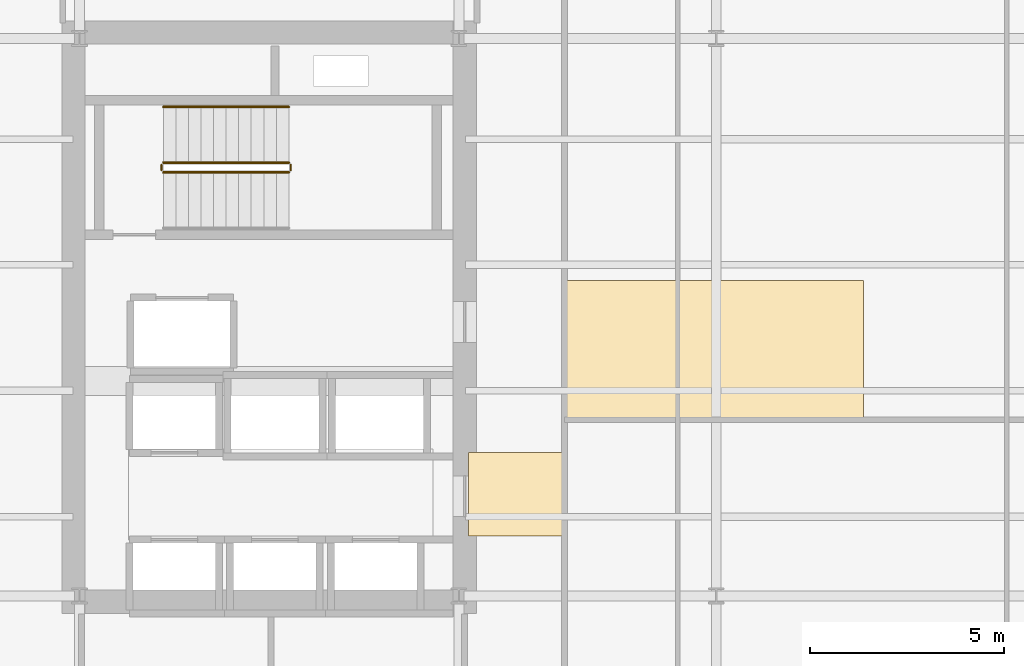
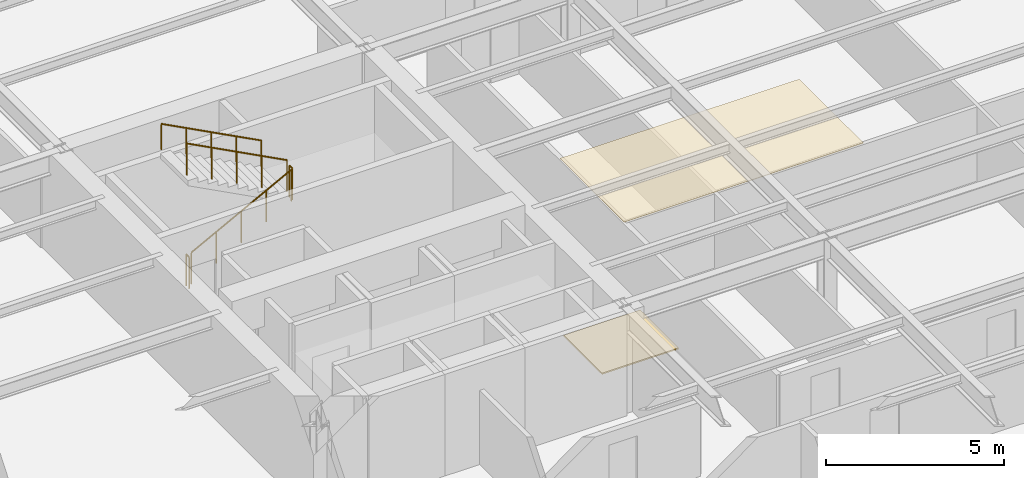
# One storey, part 9 of 11: 5 railings, 2 coverings.
"""IFC4 building model written with IfcOpenShell, lengths in metres."""

import ifcopenshell
import ifcopenshell.guid

model = None  # the IFC model being written
_history = None  # IfcOwnerHistory: only IFC2X3 demands one
_inside = {}  # id of a spatial element -> (the spatial element, [elements in it])
_under = {}  # id of a project, library or spatial element -> (it, [spatial elements below it])
_declared = {}  # id of a project -> (the project, [libraries it declares])
_typed = {}  # id of a type object -> (the type object, [elements of that type])
_made_of = {}  # id of a material, layer set ... -> (it, [elements and type objects made of it])


def new_model(schema):
    """Start an empty IFC model of exactly this schema.

    Asked for "IFC4X3", IfcOpenShell would pick the latest addendum, in which some entities
    have other attributes; the version numbers below select the first issue.
    IFC2X3 requires an IfcOwnerHistory on every rooted entity: one is made here for all.
    """
    global model, _history
    if schema == "IFC4X3":
        model = ifcopenshell.file(schema_version=(4, 3, 0, 0))
    else:
        model = ifcopenshell.file(schema=schema)
    _inside.clear()
    _under.clear()
    _declared.clear()
    _typed.clear()
    _made_of.clear()
    _history = None
    if model.schema == "IFC2X3":
        org = make("IfcOrganization", Name="unknown")
        user = make(
            "IfcPersonAndOrganization",
            ThePerson=make("IfcPerson", FamilyName="unknown"),
            TheOrganization=org,
        )
        app = make(
            "IfcApplication",
            ApplicationDeveloper=org,
            Version="unknown",
            ApplicationFullName="unknown",
            ApplicationIdentifier="unknown",
        )
        _history = make(
            "IfcOwnerHistory",
            OwningUser=user,
            OwningApplication=app,
            ChangeAction="ADDED",
            CreationDate=0,
        )
    return model


def make(cls, **values):
    """One entity of the class cls with the attributes given. An attribute that is None is left unset."""
    return model.create_entity(
        cls, **{name: value for name, value in values.items() if value is not None}
    )


def rooted(cls, **values):
    """An entity with a GlobalId (a new one), such as an element, a storey or a relation."""
    return make(cls, GlobalId=ifcopenshell.guid.new(), OwnerHistory=_history, **values)


def si_unit(unit_type, name, prefix=None):
    """IfcSIUnit, for example si_unit("LENGTHUNIT", "METRE", prefix="MILLI")."""
    return make("IfcSIUnit", UnitType=unit_type, Prefix=prefix, Name=name)


def assignment(units):
    """IfcUnitAssignment: the units of a project."""
    return None if units is None else make("IfcUnitAssignment", Units=units)


def point(xyz):
    """IfcCartesianPoint."""
    return None if xyz is None else make("IfcCartesianPoint", Coordinates=xyz)


def direction(xyz):
    """IfcDirection."""
    return None if xyz is None else make("IfcDirection", DirectionRatios=xyz)


def frame(location, z_axis=None, x_axis=None):
    """IfcAxis2Placement3D, a coordinate frame: its origin and axes. An axis left out is left unset."""
    return make(
        "IfcAxis2Placement3D",
        Location=point(location),
        Axis=direction(z_axis),
        RefDirection=direction(x_axis),
    )


def frame_2d(location, x_axis=None):
    """IfcAxis2Placement2D, a coordinate frame in the plane: its origin and x axis."""
    return make(
        "IfcAxis2Placement2D", Location=point(location), RefDirection=direction(x_axis)
    )


def origin():
    """The frame at (0, 0, 0) with its axes left unset."""
    return frame((0.0, 0.0, 0.0))


def origin_2d():
    """The frame at (0, 0) in the plane with its x axis left unset."""
    return frame_2d((0.0, 0.0))


def place(relative_to, where):
    """IfcLocalPlacement: puts the frame where relative to a parent placement (None: the world)."""
    return make(
        "IfcLocalPlacement", PlacementRelTo=relative_to, RelativePlacement=where
    )


def context(
    kind, dimensions, precision=None, world=None, true_north=None, identifier=None
):
    """IfcGeometricRepresentationContext, for example the 3D "Model" context."""
    return make(
        "IfcGeometricRepresentationContext",
        ContextIdentifier=identifier,
        ContextType=kind,
        CoordinateSpaceDimension=dimensions,
        Precision=precision,
        WorldCoordinateSystem=world,
        TrueNorth=true_north,
    )


def subcontext(parent, identifier, kind, view, scale=None):
    """IfcGeometricRepresentationSubContext, for example "Body" below "Model"."""
    return make(
        "IfcGeometricRepresentationSubContext",
        ContextIdentifier=identifier,
        ContextType=kind,
        ParentContext=parent,
        TargetScale=scale,
        TargetView=view,
    )


def project(units=None, contexts=None):
    """IfcProject with its units and contexts."""
    return rooted(
        "IfcProject",
        Name="project",
        RepresentationContexts=contexts,
        UnitsInContext=assignment(units),
    )


def spatial(cls, under=None, at=None, **own):
    """A site, building, storey or space (cls), placed at a placement, below another one or the project."""
    s = rooted(cls, ObjectPlacement=at, **own)
    if under is not None:
        _under.setdefault(under.id(), (under, []))[1].append(s)
    return s


def polyline(points):
    """IfcPolyline through the points."""
    return make("IfcPolyline", Points=[point(p) for p in points])


def profile(cls, at=None, kind="AREA", **sizes):
    """A parametric profile (cls). Its sizes go by their IFC names, for example OverallWidth=200.0."""
    return make(cls, ProfileType=kind, Position=at, **sizes)


def circle(**sizes):
    """IfcCircleProfileDef."""
    return profile("IfcCircleProfileDef", **sizes)


def outline(outer, holes=None, kind="AREA"):
    """IfcArbitraryClosedProfileDef: a profile drawn as a closed curve; with holes, ...WithVoids."""
    if holes is None:
        return make("IfcArbitraryClosedProfileDef", ProfileType=kind, OuterCurve=outer)
    return make(
        "IfcArbitraryProfileDefWithVoids",
        ProfileType=kind,
        OuterCurve=outer,
        InnerCurves=holes,
    )


def extrude(swept, where, along, depth):
    """IfcExtrudedAreaSolid: the profile swept, set in the frame where, extruded along a direction by depth."""
    return make(
        "IfcExtrudedAreaSolid",
        SweptArea=swept,
        Position=where,
        ExtrudedDirection=direction(along),
        Depth=depth,
    )


def shape(context_of_items, identifier, shape_type, items):
    """IfcShapeRepresentation: the items that make up one representation, for example the "Body"."""
    return make(
        "IfcShapeRepresentation",
        ContextOfItems=context_of_items,
        RepresentationIdentifier=identifier,
        RepresentationType=shape_type,
        Items=items,
    )


def material(Name=None, Category=None):
    """IfcMaterial."""
    return make("IfcMaterial", Name=Name, Category=Category)


def layer(
    of_material, thickness, ventilated=None, Name=None, Category=None, Priority=None
):
    """IfcMaterialLayer: one layer of a wall or slab, of a material (None: an air gap)."""
    return make(
        "IfcMaterialLayer",
        Material=of_material,
        LayerThickness=thickness,
        IsVentilated=ventilated,
        Name=Name,
        Category=Category,
        Priority=Priority,
    )


def layer_set(layers, Name=None):
    """IfcMaterialLayerSet."""
    return make("IfcMaterialLayerSet", MaterialLayers=layers, LayerSetName=Name)


def made_of(thing, what):
    """Note that an element or type object is made of a material, layer set ...; save() writes the relation."""
    if what is not None:
        _made_of.setdefault(what.id(), (what, []))[1].append(thing)
    return thing


def type_object(cls, material=None, **own):
    """A type object (cls), such as IfcWallType, which elements share."""
    return made_of(rooted(cls, **own), material)


def element(
    cls,
    number,
    at=None,
    inside=None,
    cuts=None,
    type_object=None,
    material=None,
    context=None,
    identifier="Body",
    shape_type=None,
    held_by="IfcProductDefinitionShape",
    body=None,
    shapes=None,
    **own,
):
    """One element of the class cls, such as IfcWall. Its Tag is "e" and its number.

    at: its placement. inside: the storey or other place that contains it. cuts: it is an
    opening in that element (IfcRelVoidsElement). A single representation is given by context,
    identifier, shape_type and body (its items); several are given by shapes. held_by: the class
    of the entity that holds the representations. save() writes the other relations.
    """
    e = rooted(cls, Tag="e%d" % number, ObjectPlacement=at, **own)
    if body is not None:
        shapes = [shape(context, identifier, shape_type, body)]
    if shapes is not None:
        e.Representation = make(held_by, Representations=shapes)
    if inside is not None:
        _inside.setdefault(inside.id(), (inside, []))[1].append(e)
    if cuts is not None:
        rooted(
            "IfcRelVoidsElement", RelatingBuildingElement=cuts, RelatedOpeningElement=e
        )
    if type_object is not None:
        _typed.setdefault(type_object.id(), (type_object, []))[1].append(e)
    return made_of(e, material)


def aggregate(whole, parts):
    """IfcRelAggregates: a whole, such as a stair, and the parts it consists of."""
    return rooted("IfcRelAggregates", RelatingObject=whole, RelatedObjects=parts)


def save(model, path):
    """Write the relations noted so far, then the file.

    IfcRelAggregates (storeys below a building ...), IfcRelContainedInSpatialStructure (elements
    in a storey), IfcRelDefinesByType, IfcRelAssociatesMaterial and IfcRelDeclares: one each for
    every whole, place, type object, material and project.
    """
    for whole, parts in _under.values():
        aggregate(whole, parts)
    for where, things in _inside.values():
        rooted(
            "IfcRelContainedInSpatialStructure",
            RelatedElements=things,
            RelatingStructure=where,
        )
    for kind, things in _typed.values():
        rooted("IfcRelDefinesByType", RelatedObjects=things, RelatingType=kind)
    for what, things in _made_of.values():
        rooted("IfcRelAssociatesMaterial", RelatedObjects=things, RelatingMaterial=what)
    for by, libraries in _declared.values():
        rooted("IfcRelDeclares", RelatingContext=by, RelatedDefinitions=libraries)
    model.write(path)


model = new_model("IFC4")

# Units and contexts
model_context = context("Model", 3, precision=1e-05, world=origin(), true_north=direction((0.0, 1.0)))
body_context = subcontext(model_context, "Body", "Model", "MODEL_VIEW")
ifc_project = project(units=[si_unit("LENGTHUNIT", "METRE"), si_unit("AREAUNIT", "SQUARE_METRE"), si_unit("VOLUMEUNIT", "CUBIC_METRE"), si_unit("PLANEANGLEUNIT", "RADIAN"), si_unit("MASSUNIT", "GRAM", prefix="KILO")], contexts=[model_context])

# Site, building, storey
site_placement = place(None, origin())
site = spatial("IfcSite", under=ifc_project, at=site_placement, CompositionType="ELEMENT")
building_placement = place(site_placement, origin())
building = spatial("IfcBuilding", under=site, at=building_placement, Name="Kolvaren Arena Tower", CompositionType="ELEMENT")
storey_placement = place(building_placement, frame((0.0, 0.0, 173.449951171875)))
storey = spatial("IfcBuildingStorey", under=building, at=storey_placement, Name="L41", CompositionType="ELEMENT", Elevation=173.449951171875)

# Coverings
ifc_material_1 = material(Name="Mineral fibre acoustic ceiling tile", Category="gypsum")
ifc_layer_1 = layer(ifc_material_1, 0.02490234375)
ifc_layer_set_1 = layer_set([ifc_layer_1], Name="Mineral fibre acoustic ceiling tile")
covering_type_1 = type_object("IfcCoveringType", Name="CEIL-ACT-1", PredefinedType="CEILING", material=ifc_layer_set_1)
covering_1_placement = place(storey_placement, frame((0.0, 0.0, 2.52001953125)))
element("IfcCovering", 1, at=covering_1_placement, inside=storey, type_object=covering_type_1, Name="Suspended Ceiling (L41)", PredefinedType="CEILING", context=body_context, shape_type="SweptSolid", body=[
    extrude(outline(polyline([(27.050048828125, 24.0), (27.050048828125, 27.60009765625), (34.800048828125, 27.60009765625), (34.800048828125, 24.0), (27.050048828125, 24.0)])), origin(), (0.0, 0.0, 1.0), 0.025146484375),
])
ifc_material_2 = material(Name="Raised access office floor finish", Category="aluminium")
ifc_layer_2 = layer(ifc_material_2, 0.044921875)
ifc_layer_set_2 = layer_set([ifc_layer_2], Name="Raised access office floor finish")
covering_type_2 = type_object("IfcCoveringType", Name="FLOR-RAF-1", PredefinedType="FLOORING", material=ifc_layer_set_2)
covering_2_placement = place(storey_placement, origin())
element("IfcCovering", 2, at=covering_2_placement, inside=storey, type_object=covering_type_2, Name="Floor Finish (L41)", PredefinedType="FLOORING", context=body_context, shape_type="SweptSolid", body=[
    extrude(outline(polyline([(24.60009765625, 21.0), (24.60009765625, 23.14990234375), (27.080078125, 23.14990234375), (27.080078125, 21.0), (24.60009765625, 21.0)])), origin(), (0.0, 0.0, 1.0), 0.045166015625),
])

# Railings
ifc_material_3 = material(Name="Painted galvanized steel", Category="steel")
railing_type_1 = type_object("IfcRailingType", Name="GUARD-ST-110", PredefinedType="GUARDRAIL", material=ifc_material_3)
railing_1_placement = place(storey_placement, frame((16.719970703125, 30.389892578125, 0.17041015625)))
element("IfcRailing", 3, at=railing_1_placement, inside=storey, type_object=railing_type_1, Name="L41 ST-W1 stair guard 1", PredefinedType="GUARDRAIL", context=body_context, shape_type="SweptSolid", body=[
    extrude(circle(Radius=0.02392578125, at=origin_2d()), frame((0.0, 0.0, 1.076171875), z_axis=(0.884993431791, 0.0, 0.465603506952), x_axis=(0.0, 1.0, 0.0)), (0.0, 0.0, 1.0), 3.6611328125),
    extrude(circle(Radius=0.02099609375, at=origin_2d()), origin(), (0.0, 0.0, 1.0), 1.052001953125),
    extrude(circle(Radius=0.02099609375, at=origin_2d()), frame((0.81005859375, 0.0, 0.42626953125)), (0.0, 0.0, 1.0), 1.052001953125),
    extrude(circle(Radius=0.02099609375, at=origin_2d()), frame((1.6201171875, 0.0, 0.852294921875)), (0.0, 0.0, 1.0), 1.052001953125),
    extrude(circle(Radius=0.02099609375, at=origin_2d()), frame((2.429931640625, 0.0, 1.2783203125)), (0.0, 0.0, 1.0), 1.052001953125),
    extrude(circle(Radius=0.02099609375, at=origin_2d()), frame((3.239990234375, 0.0, 1.70458984375)), (0.0, 0.0, 1.0), 1.052001953125),
])
railing_2_placement = place(storey_placement, frame((20.010009765625, 30.43994140625, 1.875)))
element("IfcRailing", 4, at=railing_2_placement, inside=storey, type_object=railing_type_1, Name="L41 ST-W1 stair guard 2", PredefinedType="GUARDRAIL", context=body_context, shape_type="SweptSolid", body=[
    extrude(circle(Radius=0.02392578125, at=origin_2d()), frame((0.0, 0.0, 1.076171875), z_axis=(0.0, 1.0, 0.0), x_axis=(-1.0, 0.0, 0.0)), (0.0, 0.0, 1.0), 0.150146484375),
    extrude(circle(Radius=0.02099609375, at=origin_2d()), origin(), (0.0, 0.0, 1.0), 1.052001953125),
    extrude(circle(Radius=0.02099609375, at=origin_2d()), frame((0.0, 0.150146484375, 0.0)), (0.0, 0.0, 1.0), 1.052001953125),
])
railing_3_placement = place(storey_placement, frame((19.9599609375, 30.639892578125, 2.04541015625)))
element("IfcRailing", 5, at=railing_3_placement, inside=storey, type_object=railing_type_1, Name="L41 ST-W1 stair guard 3", PredefinedType="GUARDRAIL", context=body_context, shape_type="SweptSolid", body=[
    extrude(circle(Radius=0.02392578125, at=origin_2d()), frame((0.0, 0.0, 1.076171875), z_axis=(-0.884993431791, 0.0, 0.465603506952), x_axis=(0.0, -1.0, 0.0)), (0.0, 0.0, 1.0), 3.6611328125),
    extrude(circle(Radius=0.02099609375, at=origin_2d()), origin(), (0.0, 0.0, 1.0), 1.052001953125),
    extrude(circle(Radius=0.02099609375, at=origin_2d()), frame((-0.81005859375, 0.0, 0.42626953125)), (0.0, 0.0, 1.0), 1.052001953125),
    extrude(circle(Radius=0.02099609375, at=origin_2d()), frame((-1.6201171875, 0.0, 0.852294921875)), (0.0, 0.0, 1.0), 1.052001953125),
    extrude(circle(Radius=0.02099609375, at=origin_2d()), frame((-2.429931640625, 0.0, 1.2783203125)), (0.0, 0.0, 1.0), 1.052001953125),
    extrude(circle(Radius=0.02099609375, at=origin_2d()), frame((-3.239990234375, 0.0, 1.70458984375)), (0.0, 0.0, 1.0), 1.052001953125),
])
railing_4_placement = place(storey_placement, frame((16.669921875, 30.43994140625, 0.0)))
element("IfcRailing", 6, at=railing_4_placement, inside=storey, type_object=railing_type_1, Name="L41 ST-W1 stair guard 4", PredefinedType="GUARDRAIL", context=body_context, shape_type="SweptSolid", body=[
    extrude(circle(Radius=0.02392578125, at=origin_2d()), frame((0.0, 0.0, 1.076171875), z_axis=(0.0, 1.0, 0.0), x_axis=(-1.0, 0.0, 0.0)), (0.0, 0.0, 1.0), 0.150146484375),
    extrude(circle(Radius=0.02099609375, at=origin_2d()), origin(), (0.0, 0.0, 1.0), 1.052001953125),
    extrude(circle(Radius=0.02099609375, at=origin_2d()), frame((0.0, 0.150146484375, 0.0)), (0.0, 0.0, 1.0), 1.052001953125),
])
ifc_material_4 = material(Name="Brushed stainless steel handrail", Category="steel")
railing_type_2 = type_object("IfcRailingType", Name="HRAIL-900", PredefinedType="HANDRAIL", material=ifc_material_4)
railing_5_placement = place(storey_placement, frame((19.9599609375, 32.080078125, 2.04541015625)))
element("IfcRailing", 7, at=railing_5_placement, inside=storey, type_object=railing_type_2, Name="L41 ST-W1 stair handrail 2", PredefinedType="HANDRAIL", context=body_context, shape_type="SweptSolid", body=[
    extrude(circle(Radius=0.02392578125, at=origin_2d()), frame((0.0, 0.0, 0.8759765625), z_axis=(-0.884993431791, 0.0, 0.465603506952), x_axis=(0.0, -1.0, 0.0)), (0.0, 0.0, 1.0), 3.6611328125),
    extrude(circle(Radius=0.02099609375, at=origin_2d()), origin(), (0.0, 0.0, 1.0), 0.851806640625),
    extrude(circle(Radius=0.02099609375, at=origin_2d()), frame((-0.81005859375, 0.0, 0.42626953125)), (0.0, 0.0, 1.0), 0.851806640625),
    extrude(circle(Radius=0.02099609375, at=origin_2d()), frame((-1.6201171875, 0.0, 0.852294921875)), (0.0, 0.0, 1.0), 0.851806640625),
    extrude(circle(Radius=0.02099609375, at=origin_2d()), frame((-2.429931640625, 0.0, 1.2783203125)), (0.0, 0.0, 1.0), 0.851806640625),
    extrude(circle(Radius=0.02099609375, at=origin_2d()), frame((-3.239990234375, 0.0, 1.70458984375)), (0.0, 0.0, 1.0), 0.851806640625),
])

save(model, "model.ifc")
